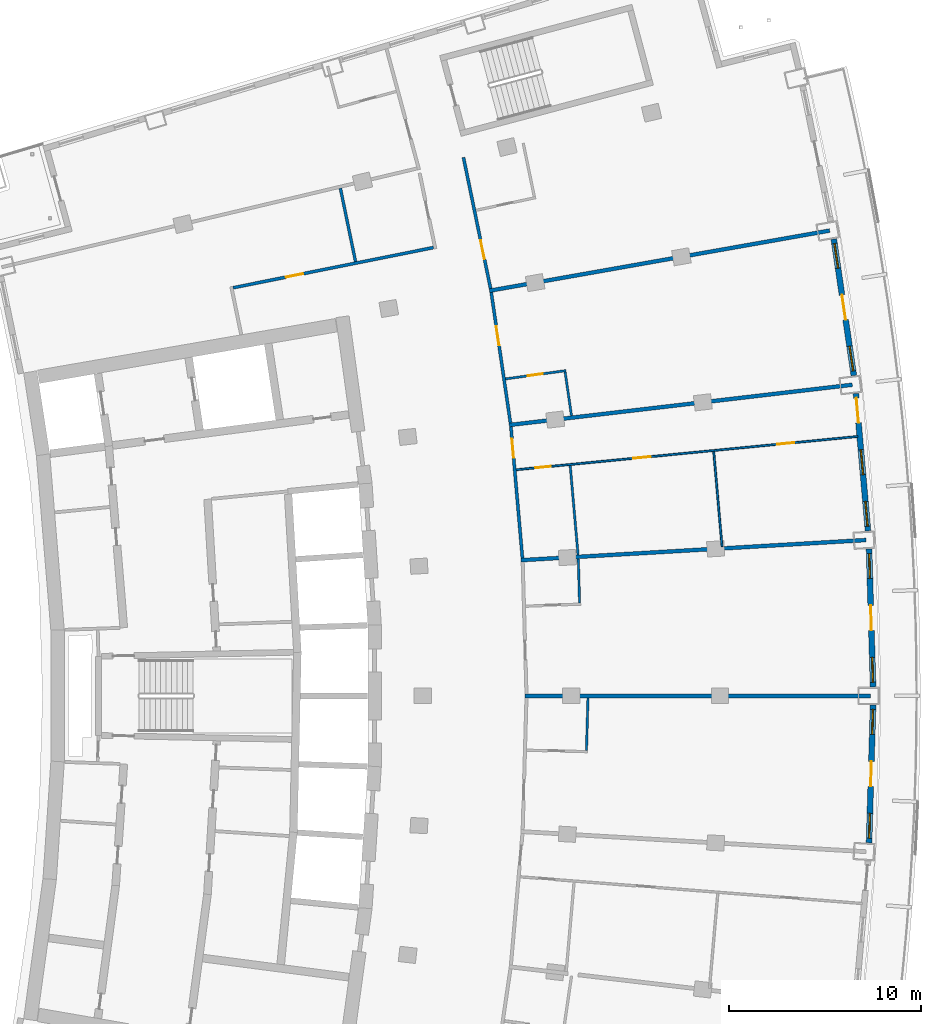
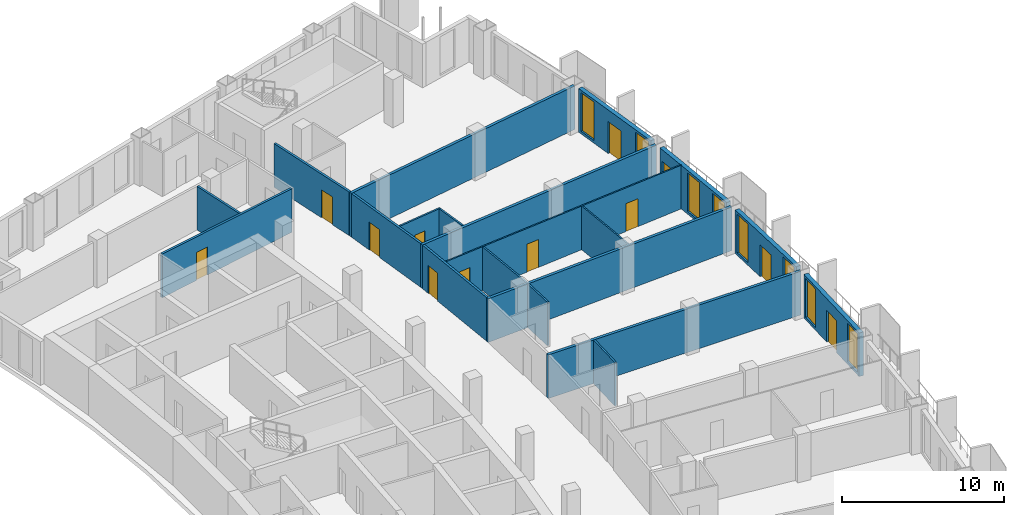
# One storey, part 14 of 19: 20 walls, 12 doors, 8 windows, 20 openings.
"""IFC4 building model written with IfcOpenShell, lengths in metres."""

from ifc_helpers import new_model, si_unit, direction, frame, frame_2d, origin, place, context, subcontext, project, spatial, rectangle, extrude, material, layer, layer_set, type_object, element, fill, save


model = new_model("IFC4")

# Units and contexts
model_context = context("Model", 3, precision=1e-05, world=origin(), true_north=direction((0.0, 1.0)))
body_context = subcontext(model_context, "Body", "Model", "MODEL_VIEW")
ifc_project = project(units=[si_unit("LENGTHUNIT", "METRE"), si_unit("AREAUNIT", "SQUARE_METRE"), si_unit("VOLUMEUNIT", "CUBIC_METRE"), si_unit("PLANEANGLEUNIT", "RADIAN"), si_unit("MASSUNIT", "GRAM", prefix="KILO")], contexts=[model_context])

# Site, building, storey
site_placement = place(None, origin())
site = spatial("IfcSite", under=ifc_project, at=site_placement, CompositionType="ELEMENT")
building_placement = place(site_placement, origin())
building = spatial("IfcBuilding", under=site, at=building_placement, Name="Alderwake Tower", CompositionType="ELEMENT")
storey_placement = place(building_placement, frame((0.0, 0.0, 174.800048828125)))
storey = spatial("IfcBuildingStorey", under=building, at=storey_placement, Name="L43", CompositionType="ELEMENT", Elevation=174.800048828125)

# Wall, opening, door
ifc_material_1 = material(Name="Gypsum board on metal studs, rated")
ifc_layer_1 = layer(ifc_material_1, 0.159912109375)
ifc_layer_set_1 = layer_set([ifc_layer_1], Name="Corridor wall 160")
wall_type_1 = type_object("IfcWallType", Name="Corridor wall 160", PredefinedType="PARTITIONING", material=ifc_layer_set_1)
wall_1_placement = place(storey_placement, frame((25.926513671875, 82.24267578125, 0.0), z_axis=(0.0, 0.0, 1.0), x_axis=(0.98046310274, 0.196703086316, 0.0)))
wall_1 = element("IfcWall", 1, at=wall_1_placement, inside=storey, type_object=wall_type_1, Name="WL/L43/W24", PredefinedType="PARTITIONING", context=body_context, shape_type="SweptSolid", body=[
    extrude(rectangle(XDim=10.637939453125, YDim=0.159912109375, at=frame_2d((5.31884765625, 0.0))), origin(), (0.0, 0.0, 1.0), 3.280029296875),
])
opening_1_placement = place(wall_1_placement, frame((2.80908203125, 0.0, 0.0)))
opening_1 = element("IfcOpeningElement", 2, at=opening_1_placement, cuts=wall_1, Name="Opening R12-SBN1", PredefinedType="OPENING", context=body_context, shape_type="SweptSolid", body=[
    extrude(rectangle(XDim=0.89990234375, YDim=2.10009765625, at=frame_2d((0.449951171875, 1.050048828125))), frame((0.0, 0.08984375, 0.0), z_axis=(0.0, -1.0, 0.0), x_axis=(1.0, 0.0, 0.0)), (0.0, 0.0, 1.0), 0.179931640625),
])
ifc_material_2 = material(Name="Painted timber leaf", Category="wood")
door_type_1 = type_object("IfcDoorType", Name="Room door 900", OperationType="SINGLE_SWING_LEFT", PredefinedType="DOOR", material=ifc_material_2)
door_1_placement = place(opening_1_placement, origin())
door_1 = element("IfcDoor", 3, at=door_1_placement, inside=storey, type_object=door_type_1, Name="DR/L43/SBN1", OperationType="SINGLE_SWING_LEFT", OverallHeight=2.10009765625, OverallWidth=0.89990234375, PredefinedType="DOOR", context=body_context, shape_type="SweptSolid", body=[
    extrude(rectangle(XDim=0.89990234375, YDim=2.10009765625, at=frame_2d((0.449951171875, 1.050048828125))), frame((0.0, 0.02490234375, 0.0), z_axis=(0.0, -1.0, 0.0), x_axis=(1.0, 0.0, 0.0)), (0.0, 0.0, 1.0), 0.050048828125),
])
fill(opening_1, door_1)

wall_2_placement = place(storey_placement, frame((37.9169921875, 89.02490234375, 0.0), z_axis=(0.0, 0.0, 1.0), x_axis=(0.202416809878, -0.97929946139, 0.0)))
wall_2 = element("IfcWall", 4, at=wall_2_placement, inside=storey, type_object=wall_type_1, Name="WL/L43/W27", PredefinedType="PARTITIONING", context=body_context, shape_type="SweptSolid", body=[
    extrude(rectangle(XDim=6.97021484375, YDim=0.159912109375, at=frame_2d((3.485107421875, 0.0))), origin(), (0.0, 0.0, 1.0), 3.280029296875),
])
opening_2_placement = place(wall_2_placement, frame((4.3994140625, 0.0, 0.0)))
opening_2 = element("IfcOpeningElement", 5, at=opening_2_placement, cuts=wall_2, Name="Opening R12-U09.1", PredefinedType="OPENING", context=body_context, shape_type="SweptSolid", body=[
    extrude(rectangle(XDim=1.0, YDim=2.10009765625, at=frame_2d((0.5, 1.050048828125))), frame((0.0, 0.08984375, 0.0), z_axis=(0.0, -1.0, 0.0), x_axis=(1.0, 0.0, 0.0)), (0.0, 0.0, 1.0), 0.179931640625),
])
ifc_material_3 = material(Name="Solid timber leaf in steel frame", Category="steel")
door_type_2 = type_object("IfcDoorType", Name="Flat entrance door 1000 fire-rated", OperationType="SINGLE_SWING_LEFT", PredefinedType="DOOR", material=ifc_material_3)
door_2_placement = place(opening_2_placement, origin())
door_2 = element("IfcDoor", 6, at=door_2_placement, inside=storey, type_object=door_type_2, Name="DR/L43/U09.1", OperationType="SINGLE_SWING_LEFT", OverallHeight=2.10009765625, OverallWidth=1.0, PredefinedType="DOOR", context=body_context, shape_type="SweptSolid", body=[
    extrude(rectangle(XDim=1.0, YDim=2.10009765625, at=frame_2d((0.5, 1.050048828125))), frame((0.0, 0.02490234375, 0.0), z_axis=(0.0, -1.0, 0.0), x_axis=(1.0, 0.0, 0.0)), (0.0, 0.0, 1.0), 0.050048828125),
])
fill(opening_2, door_2)

wall_3_placement = place(storey_placement, frame((39.362548828125, 82.001953125, 0.0), z_axis=(0.0, 0.0, 1.0), x_axis=(0.145565626222, -0.98934859805, 0.0)))
wall_3 = element("IfcWall", 7, at=wall_3_placement, inside=storey, type_object=wall_type_1, Name="WL/L43/W29", PredefinedType="PARTITIONING", context=body_context, shape_type="SweptSolid", body=[
    extrude(rectangle(XDim=6.8681640625, YDim=0.159912109375, at=frame_2d((3.43408203125, 0.0))), origin(), (0.0, 0.0, 1.0), 3.280029296875),
])
opening_3_placement = place(wall_3_placement, frame((1.782470703125, 0.0, 0.0)))
opening_3 = element("IfcOpeningElement", 8, at=opening_3_placement, cuts=wall_3, Name="Opening R12-U08.1", PredefinedType="OPENING", context=body_context, shape_type="SweptSolid", body=[
    extrude(rectangle(XDim=1.0, YDim=2.10009765625, at=frame_2d((0.5, 1.050048828125))), frame((0.0, 0.08984375, 0.0), z_axis=(0.0, -1.0, 0.0), x_axis=(1.0, 0.0, 0.0)), (0.0, 0.0, 1.0), 0.179931640625),
])
door_3_placement = place(opening_3_placement, origin())
door_3 = element("IfcDoor", 9, at=door_3_placement, inside=storey, type_object=door_type_2, Name="DR/L43/U08.1", OperationType="SINGLE_SWING_LEFT", OverallHeight=2.10009765625, OverallWidth=1.0, PredefinedType="DOOR", context=body_context, shape_type="SweptSolid", body=[
    extrude(rectangle(XDim=1.0, YDim=2.10009765625, at=frame_2d((0.5, 1.050048828125))), frame((0.0, 0.02490234375, 0.0), z_axis=(0.0, -1.0, 0.0), x_axis=(1.0, 0.0, 0.0)), (0.0, 0.0, 1.0), 0.050048828125),
])
fill(opening_3, door_3)

wall_4_placement = place(storey_placement, frame((40.3857421875, 75.00830078125, 0.0), z_axis=(0.0, 0.0, 1.0), x_axis=(0.087448731147, -0.996169021512, 0.0)))
wall_4 = element("IfcWall", 10, at=wall_4_placement, inside=storey, type_object=wall_type_1, Name="WL/L43/W31", PredefinedType="PARTITIONING", context=body_context, shape_type="SweptSolid", body=[
    extrude(rectangle(XDim=6.867919921875, YDim=0.159912109375, at=frame_2d((3.43408203125, 0.0))), origin(), (0.0, 0.0, 1.0), 3.280029296875),
])
opening_4_placement = place(wall_4_placement, frame((0.628173828125, 0.0, 0.0)))
opening_4 = element("IfcOpeningElement", 11, at=opening_4_placement, cuts=wall_4, Name="Opening R12-U07.2", PredefinedType="OPENING", context=body_context, shape_type="SweptSolid", body=[
    extrude(rectangle(XDim=1.0, YDim=2.10009765625, at=frame_2d((0.5, 1.050048828125))), frame((0.0, 0.08984375, 0.0), z_axis=(0.0, -1.0, 0.0), x_axis=(1.0, 0.0, 0.0)), (0.0, 0.0, 1.0), 0.179931640625),
])
door_4_placement = place(opening_4_placement, origin())
door_4 = element("IfcDoor", 12, at=door_4_placement, inside=storey, type_object=door_type_2, Name="DR/L43/U07.2", OperationType="SINGLE_SWING_LEFT", OverallHeight=2.10009765625, OverallWidth=1.0, PredefinedType="DOOR", context=body_context, shape_type="SweptSolid", body=[
    extrude(rectangle(XDim=1.0, YDim=2.10009765625, at=frame_2d((0.5, 1.050048828125))), frame((0.0, 0.02490234375, 0.0), z_axis=(0.0, -1.0, 0.0), x_axis=(1.0, 0.0, 0.0)), (0.0, 0.0, 1.0), 0.050048828125),
])
fill(opening_4, door_4)

# Wall, openings, door, windows
ifc_material_4 = material(Name="Precast concrete C50/60 spandrel panel", Category="concrete")
ifc_layer_2 = layer(ifc_material_4, 0.300048828125)
ifc_layer_set_2 = layer_set([ifc_layer_2], Name="External wall EW1 Precast concrete C50/60 spandrel")
wall_type_2 = type_object("IfcWallType", Name="External wall EW1 Precast concrete C50/60 spandrel", PredefinedType="SOLIDWALL", material=ifc_layer_set_2)
wall_5_placement = place(storey_placement, frame((59.027099609375, 53.354736328125, 0.0), z_axis=(0.0, 0.0, 1.0), x_axis=(0.029125088946, 0.999575774613, 0.0)))
wall_5 = element("IfcWall", 13, at=wall_5_placement, inside=storey, type_object=wall_type_2, Name="External wall 15", PredefinedType="SOLIDWALL", context=body_context, shape_type="SweptSolid", body=[
    extrude(rectangle(XDim=7.17529296875, YDim=0.300048828125, at=frame_2d((3.587646484375, 0.0))), origin(), (0.0, 0.0, 1.0), 3.280029296875),
])
opening_5_placement = place(wall_5_placement, frame((0.2353515625, 0.0, 0.199951171875)))
opening_5 = element("IfcOpeningElement", 14, at=opening_5_placement, cuts=wall_5, Name="Opening W1", PredefinedType="OPENING", context=body_context, shape_type="SweptSolid", body=[
    extrude(rectangle(XDim=1.300048828125, YDim=2.89990234375, at=frame_2d((0.64990234375, 1.449951171875))), frame((0.0, 0.159912109375, 0.0), z_axis=(0.0, -1.0, 0.0), x_axis=(1.0, 0.0, 0.0)), (0.0, 0.0, 1.0), 0.320068359375),
])
opening_6_placement = place(wall_5_placement, frame((2.937744140625, 0.0, 0.0)))
opening_6 = element("IfcOpeningElement", 15, at=opening_6_placement, cuts=wall_5, Name="Opening D04", PredefinedType="OPENING", context=body_context, shape_type="SweptSolid", body=[
    extrude(rectangle(XDim=1.300048828125, YDim=2.39990234375, at=frame_2d((0.64990234375, 1.199951171875))), frame((0.0, 0.159912109375, 0.0), z_axis=(0.0, -1.0, 0.0), x_axis=(1.0, 0.0, 0.0)), (0.0, 0.0, 1.0), 0.320068359375),
])
opening_7_placement = place(wall_5_placement, frame((5.64013671875, 0.0, 0.199951171875)))
opening_7 = element("IfcOpeningElement", 16, at=opening_7_placement, cuts=wall_5, Name="Opening W1", PredefinedType="OPENING", context=body_context, shape_type="SweptSolid", body=[
    extrude(rectangle(XDim=1.300048828125, YDim=2.89990234375, at=frame_2d((0.64990234375, 1.449951171875))), frame((0.0, 0.159912109375, 0.0), z_axis=(0.0, -1.0, 0.0), x_axis=(1.0, 0.0, 0.0)), (0.0, 0.0, 1.0), 0.320068359375),
])
ifc_material_5 = material(Name="Bronze tinted glass in aluminium frame", Category="aluminium")
door_type_3 = type_object("IfcDoorType", Name="Balcony door BD sliding", OperationType="SLIDING_TO_LEFT", PredefinedType="DOOR", material=ifc_material_5)
door_5_placement = place(opening_6_placement, origin())
door_5 = element("IfcDoor", 17, at=door_5_placement, inside=storey, type_object=door_type_3, Name="Door D04", OperationType="SLIDING_TO_LEFT", OverallHeight=2.39990234375, OverallWidth=1.300048828125, PredefinedType="DOOR", context=body_context, shape_type="SweptSolid", body=[
    extrude(rectangle(XDim=1.300048828125, YDim=2.39990234375, at=frame_2d((0.64990234375, 1.199951171875))), frame((0.0, 0.02490234375, 0.0), z_axis=(0.0, -1.0, 0.0), x_axis=(1.0, 0.0, 0.0)), (0.0, 0.0, 1.0), 0.050048828125),
])
fill(opening_6, door_5)
ifc_material_6 = material(Name="Bronze tinted glass in aluminium frame", Category="aluminium")
window_type = type_object("IfcWindowType", Name="Window W1 tall fixed and vent", PartitioningType="DOUBLE_PANEL_VERTICAL", PredefinedType="WINDOW", material=ifc_material_6)
window_1_placement = place(opening_5_placement, origin())
window_1 = element("IfcWindow", 18, at=window_1_placement, inside=storey, type_object=window_type, Name="Window W1 tall fixed and vent", OverallHeight=2.89990234375, OverallWidth=1.300048828125, PartitioningType="DOUBLE_PANEL_VERTICAL", PredefinedType="WINDOW", context=body_context, shape_type="SweptSolid", body=[
    extrude(rectangle(XDim=1.300048828125, YDim=2.89990234375, at=frame_2d((0.64990234375, 1.449951171875))), frame((0.0, 0.030029296875, 0.0), z_axis=(0.0, -1.0, 0.0), x_axis=(1.0, 0.0, 0.0)), (0.0, 0.0, 1.0), 0.06005859375),
])
fill(opening_5, window_1)
window_2_placement = place(opening_7_placement, origin())
window_2 = element("IfcWindow", 19, at=window_2_placement, inside=storey, type_object=window_type, Name="Window W1 tall fixed and vent", OverallHeight=2.89990234375, OverallWidth=1.300048828125, PartitioningType="DOUBLE_PANEL_VERTICAL", PredefinedType="WINDOW", context=body_context, shape_type="SweptSolid", body=[
    extrude(rectangle(XDim=1.300048828125, YDim=2.89990234375, at=frame_2d((0.64990234375, 1.449951171875))), frame((0.0, 0.030029296875, 0.0), z_axis=(0.0, -1.0, 0.0), x_axis=(1.0, 0.0, 0.0)), (0.0, 0.0, 1.0), 0.06005859375),
])
fill(opening_7, window_2)

wall_6_placement = place(storey_placement, frame((59.236083984375, 61.472900390625, 0.0), z_axis=(0.0, 0.0, 1.0), x_axis=(-0.029125088946, 0.999575774613, 0.0)))
wall_6 = element("IfcWall", 20, at=wall_6_placement, inside=storey, type_object=wall_type_2, Name="External wall 16", PredefinedType="SOLIDWALL", context=body_context, shape_type="SweptSolid", body=[
    extrude(rectangle(XDim=7.17529296875, YDim=0.300048828125, at=frame_2d((3.587646484375, 0.0))), origin(), (0.0, 0.0, 1.0), 3.280029296875),
])
opening_8_placement = place(wall_6_placement, frame((0.2353515625, 0.0, 0.199951171875)))
opening_8 = element("IfcOpeningElement", 21, at=opening_8_placement, cuts=wall_6, Name="Opening W1", PredefinedType="OPENING", context=body_context, shape_type="SweptSolid", body=[
    extrude(rectangle(XDim=1.300048828125, YDim=2.89990234375, at=frame_2d((0.64990234375, 1.449951171875))), frame((0.0, 0.159912109375, 0.0), z_axis=(0.0, -1.0, 0.0), x_axis=(1.0, 0.0, 0.0)), (0.0, 0.0, 1.0), 0.320068359375),
])
opening_9_placement = place(wall_6_placement, frame((2.937744140625, 0.0, 0.0)))
opening_9 = element("IfcOpeningElement", 22, at=opening_9_placement, cuts=wall_6, Name="Opening D05", PredefinedType="OPENING", context=body_context, shape_type="SweptSolid", body=[
    extrude(rectangle(XDim=1.300048828125, YDim=2.39990234375, at=frame_2d((0.64990234375, 1.199951171875))), frame((0.0, 0.159912109375, 0.0), z_axis=(0.0, -1.0, 0.0), x_axis=(1.0, 0.0, 0.0)), (0.0, 0.0, 1.0), 0.320068359375),
])
opening_10_placement = place(wall_6_placement, frame((5.64013671875, 0.0, 0.199951171875)))
opening_10 = element("IfcOpeningElement", 23, at=opening_10_placement, cuts=wall_6, Name="Opening W1", PredefinedType="OPENING", context=body_context, shape_type="SweptSolid", body=[
    extrude(rectangle(XDim=1.300048828125, YDim=2.89990234375, at=frame_2d((0.64990234375, 1.449951171875))), frame((0.0, 0.159912109375, 0.0), z_axis=(0.0, -1.0, 0.0), x_axis=(1.0, 0.0, 0.0)), (0.0, 0.0, 1.0), 0.320068359375),
])
door_6_placement = place(opening_9_placement, origin())
door_6 = element("IfcDoor", 24, at=door_6_placement, inside=storey, type_object=door_type_3, Name="Door D05", OperationType="SLIDING_TO_LEFT", OverallHeight=2.39990234375, OverallWidth=1.300048828125, PredefinedType="DOOR", context=body_context, shape_type="SweptSolid", body=[
    extrude(rectangle(XDim=1.300048828125, YDim=2.39990234375, at=frame_2d((0.64990234375, 1.199951171875))), frame((0.0, 0.02490234375, 0.0), z_axis=(0.0, -1.0, 0.0), x_axis=(1.0, 0.0, 0.0)), (0.0, 0.0, 1.0), 0.050048828125),
])
fill(opening_9, door_6)
window_3_placement = place(opening_8_placement, origin())
window_3 = element("IfcWindow", 25, at=window_3_placement, inside=storey, type_object=window_type, Name="Window W1 tall fixed and vent", OverallHeight=2.89990234375, OverallWidth=1.300048828125, PartitioningType="DOUBLE_PANEL_VERTICAL", PredefinedType="WINDOW", context=body_context, shape_type="SweptSolid", body=[
    extrude(rectangle(XDim=1.300048828125, YDim=2.89990234375, at=frame_2d((0.64990234375, 1.449951171875))), frame((0.0, 0.030029296875, 0.0), z_axis=(0.0, -1.0, 0.0), x_axis=(1.0, 0.0, 0.0)), (0.0, 0.0, 1.0), 0.06005859375),
])
fill(opening_8, window_3)
window_4_placement = place(opening_10_placement, origin())
window_4 = element("IfcWindow", 26, at=window_4_placement, inside=storey, type_object=window_type, Name="Window W1 tall fixed and vent", OverallHeight=2.89990234375, OverallWidth=1.300048828125, PartitioningType="DOUBLE_PANEL_VERTICAL", PredefinedType="WINDOW", context=body_context, shape_type="SweptSolid", body=[
    extrude(rectangle(XDim=1.300048828125, YDim=2.89990234375, at=frame_2d((0.64990234375, 1.449951171875))), frame((0.0, 0.030029296875, 0.0), z_axis=(0.0, -1.0, 0.0), x_axis=(1.0, 0.0, 0.0)), (0.0, 0.0, 1.0), 0.06005859375),
])
fill(opening_10, window_4)

wall_7_placement = place(storey_placement, frame((58.9716796875, 69.589599609375, 0.0), z_axis=(0.0, 0.0, 1.0), x_axis=(-0.087372493124, 0.99617571113, 0.0)))
wall_7 = element("IfcWall", 27, at=wall_7_placement, inside=storey, type_object=wall_type_2, Name="External wall 17", PredefinedType="SOLIDWALL", context=body_context, shape_type="SweptSolid", body=[
    extrude(rectangle(XDim=7.175537109375, YDim=0.300048828125, at=frame_2d((3.587890625, 0.0))), origin(), (0.0, 0.0, 1.0), 3.280029296875),
])
opening_11_placement = place(wall_7_placement, frame((0.2353515625, 0.0, 0.199951171875)))
opening_11 = element("IfcOpeningElement", 28, at=opening_11_placement, cuts=wall_7, Name="Opening W1", PredefinedType="OPENING", context=body_context, shape_type="SweptSolid", body=[
    extrude(rectangle(XDim=1.300048828125, YDim=2.89990234375, at=frame_2d((0.64990234375, 1.449951171875))), frame((0.0, 0.159912109375, 0.0), z_axis=(0.0, -1.0, 0.0), x_axis=(1.0, 0.0, 0.0)), (0.0, 0.0, 1.0), 0.320068359375),
])
opening_12_placement = place(wall_7_placement, frame((2.937744140625, 0.0, 0.199951171875)))
opening_12 = element("IfcOpeningElement", 29, at=opening_12_placement, cuts=wall_7, Name="Opening W1", PredefinedType="OPENING", context=body_context, shape_type="SweptSolid", body=[
    extrude(rectangle(XDim=1.300048828125, YDim=2.89990234375, at=frame_2d((0.64990234375, 1.449951171875))), frame((0.0, 0.159912109375, 0.0), z_axis=(0.0, -1.0, 0.0), x_axis=(1.0, 0.0, 0.0)), (0.0, 0.0, 1.0), 0.320068359375),
])
opening_13_placement = place(wall_7_placement, frame((5.64013671875, 0.0, 0.0)))
opening_13 = element("IfcOpeningElement", 30, at=opening_13_placement, cuts=wall_7, Name="Opening D06", PredefinedType="OPENING", context=body_context, shape_type="SweptSolid", body=[
    extrude(rectangle(XDim=1.300048828125, YDim=2.39990234375, at=frame_2d((0.64990234375, 1.199951171875))), frame((0.0, 0.159912109375, 0.0), z_axis=(0.0, -1.0, 0.0), x_axis=(1.0, 0.0, 0.0)), (0.0, 0.0, 1.0), 0.320068359375),
])
door_7_placement = place(opening_13_placement, origin())
door_7 = element("IfcDoor", 31, at=door_7_placement, inside=storey, type_object=door_type_3, Name="Door D06", OperationType="SLIDING_TO_LEFT", OverallHeight=2.39990234375, OverallWidth=1.300048828125, PredefinedType="DOOR", context=body_context, shape_type="SweptSolid", body=[
    extrude(rectangle(XDim=1.300048828125, YDim=2.39990234375, at=frame_2d((0.64990234375, 1.199951171875))), frame((0.0, 0.02490234375, 0.0), z_axis=(0.0, -1.0, 0.0), x_axis=(1.0, 0.0, 0.0)), (0.0, 0.0, 1.0), 0.050048828125),
])
fill(opening_13, door_7)
window_5_placement = place(opening_11_placement, origin())
window_5 = element("IfcWindow", 32, at=window_5_placement, inside=storey, type_object=window_type, Name="Window W1 tall fixed and vent", OverallHeight=2.89990234375, OverallWidth=1.300048828125, PartitioningType="DOUBLE_PANEL_VERTICAL", PredefinedType="WINDOW", context=body_context, shape_type="SweptSolid", body=[
    extrude(rectangle(XDim=1.300048828125, YDim=2.89990234375, at=frame_2d((0.64990234375, 1.449951171875))), frame((0.0, 0.030029296875, 0.0), z_axis=(0.0, -1.0, 0.0), x_axis=(1.0, 0.0, 0.0)), (0.0, 0.0, 1.0), 0.06005859375),
])
fill(opening_11, window_5)
window_6_placement = place(opening_12_placement, origin())
window_6 = element("IfcWindow", 33, at=window_6_placement, inside=storey, type_object=window_type, Name="Window W1 tall fixed and vent", OverallHeight=2.89990234375, OverallWidth=1.300048828125, PartitioningType="DOUBLE_PANEL_VERTICAL", PredefinedType="WINDOW", context=body_context, shape_type="SweptSolid", body=[
    extrude(rectangle(XDim=1.300048828125, YDim=2.89990234375, at=frame_2d((0.64990234375, 1.449951171875))), frame((0.0, 0.030029296875, 0.0), z_axis=(0.0, -1.0, 0.0), x_axis=(1.0, 0.0, 0.0)), (0.0, 0.0, 1.0), 0.06005859375),
])
fill(opening_12, window_6)

wall_8_placement = place(storey_placement, frame((58.234619140625, 77.677001953125, 0.0), z_axis=(0.0, 0.0, 1.0), x_axis=(-0.145316694365, 0.989385192096, 0.0)))
wall_8 = element("IfcWall", 34, at=wall_8_placement, inside=storey, type_object=wall_type_2, Name="External wall 18", PredefinedType="SOLIDWALL", context=body_context, shape_type="SweptSolid", body=[
    extrude(rectangle(XDim=7.175537109375, YDim=0.300048828125, at=frame_2d((3.587890625, 0.0))), origin(), (0.0, 0.0, 1.0), 3.280029296875),
])
opening_14_placement = place(wall_8_placement, frame((0.2353515625, 0.0, 0.199951171875)))
opening_14 = element("IfcOpeningElement", 35, at=opening_14_placement, cuts=wall_8, Name="Opening W1", PredefinedType="OPENING", context=body_context, shape_type="SweptSolid", body=[
    extrude(rectangle(XDim=1.300048828125, YDim=2.89990234375, at=frame_2d((0.64990234375, 1.449951171875))), frame((0.0, 0.159912109375, 0.0), z_axis=(0.0, -1.0, 0.0), x_axis=(1.0, 0.0, 0.0)), (0.0, 0.0, 1.0), 0.320068359375),
])
opening_15_placement = place(wall_8_placement, frame((2.937744140625, 0.0, 0.0)))
opening_15 = element("IfcOpeningElement", 36, at=opening_15_placement, cuts=wall_8, Name="Opening D07", PredefinedType="OPENING", context=body_context, shape_type="SweptSolid", body=[
    extrude(rectangle(XDim=1.300048828125, YDim=2.39990234375, at=frame_2d((0.64990234375, 1.199951171875))), frame((0.0, 0.159912109375, 0.0), z_axis=(0.0, -1.0, 0.0), x_axis=(1.0, 0.0, 0.0)), (0.0, 0.0, 1.0), 0.320068359375),
])
opening_16_placement = place(wall_8_placement, frame((5.64013671875, 0.0, 0.199951171875)))
opening_16 = element("IfcOpeningElement", 37, at=opening_16_placement, cuts=wall_8, Name="Opening W1", PredefinedType="OPENING", context=body_context, shape_type="SweptSolid", body=[
    extrude(rectangle(XDim=1.300048828125, YDim=2.89990234375, at=frame_2d((0.64990234375, 1.449951171875))), frame((0.0, 0.159912109375, 0.0), z_axis=(0.0, -1.0, 0.0), x_axis=(1.0, 0.0, 0.0)), (0.0, 0.0, 1.0), 0.320068359375),
])
door_8_placement = place(opening_15_placement, origin())
door_8 = element("IfcDoor", 38, at=door_8_placement, inside=storey, type_object=door_type_3, Name="Door D07", OperationType="SLIDING_TO_LEFT", OverallHeight=2.39990234375, OverallWidth=1.300048828125, PredefinedType="DOOR", context=body_context, shape_type="SweptSolid", body=[
    extrude(rectangle(XDim=1.300048828125, YDim=2.39990234375, at=frame_2d((0.64990234375, 1.199951171875))), frame((0.0, 0.02490234375, 0.0), z_axis=(0.0, -1.0, 0.0), x_axis=(1.0, 0.0, 0.0)), (0.0, 0.0, 1.0), 0.050048828125),
])
fill(opening_15, door_8)
window_7_placement = place(opening_14_placement, origin())
window_7 = element("IfcWindow", 39, at=window_7_placement, inside=storey, type_object=window_type, Name="Window W1 tall fixed and vent", OverallHeight=2.89990234375, OverallWidth=1.300048828125, PartitioningType="DOUBLE_PANEL_VERTICAL", PredefinedType="WINDOW", context=body_context, shape_type="SweptSolid", body=[
    extrude(rectangle(XDim=1.300048828125, YDim=2.89990234375, at=frame_2d((0.64990234375, 1.449951171875))), frame((0.0, 0.030029296875, 0.0), z_axis=(0.0, -1.0, 0.0), x_axis=(1.0, 0.0, 0.0)), (0.0, 0.0, 1.0), 0.06005859375),
])
fill(opening_14, window_7)
window_8_placement = place(opening_16_placement, origin())
window_8 = element("IfcWindow", 40, at=window_8_placement, inside=storey, type_object=window_type, Name="Window W1 tall fixed and vent", OverallHeight=2.89990234375, OverallWidth=1.300048828125, PartitioningType="DOUBLE_PANEL_VERTICAL", PredefinedType="WINDOW", context=body_context, shape_type="SweptSolid", body=[
    extrude(rectangle(XDim=1.300048828125, YDim=2.89990234375, at=frame_2d((0.64990234375, 1.449951171875))), frame((0.0, 0.030029296875, 0.0), z_axis=(0.0, -1.0, 0.0), x_axis=(1.0, 0.0, 0.0)), (0.0, 0.0, 1.0), 0.06005859375),
])
fill(opening_16, window_8)

# Walls
ifc_material_7 = material(Name="Dense block masonry wall", Category="masonry")
ifc_layer_3 = layer(ifc_material_7, 0.199951171875)
ifc_layer_set_3 = layer_set([ifc_layer_3], Name="Party wall 200")
wall_type_3 = type_object("IfcWallType", Name="Party wall 200", PredefinedType="SOLIDWALL", material=ifc_layer_set_3)
wall_9_placement = place(storey_placement, frame((56.97607421875, 85.218017578125, 0.0), z_axis=(0.0, 0.0, 1.0), x_axis=(-0.984725138861, -0.174116055824, 0.0)))
element("IfcWall", 41, at=wall_9_placement, inside=storey, type_object=wall_type_3, Name="WL/L43/W03", PredefinedType="SOLIDWALL", context=body_context, shape_type="SweptSolid", body=[
    extrude(rectangle(XDim=17.9814453125, YDim=0.199951171875, at=frame_2d((8.99072265625, 0.0))), origin(), (0.0, 0.0, 1.0), 3.280029296875),
])
wall_10_placement = place(storey_placement, frame((58.155029296875, 77.193115234375, 0.0), z_axis=(0.0, 0.0, 1.0), x_axis=(-0.993191787965, -0.116490653354, 0.0)))
element("IfcWall", 42, at=wall_10_placement, inside=storey, type_object=wall_type_3, Name="WL/L43/W05", PredefinedType="SOLIDWALL", context=body_context, shape_type="SweptSolid", body=[
    extrude(rectangle(XDim=17.979736328125, YDim=0.199951171875, at=frame_2d((8.98974609375, 0.0))), origin(), (0.0, 0.0, 1.0), 3.280029296875),
])
wall_11_placement = place(storey_placement, frame((58.863037109375, 69.111083984375, 0.0), z_axis=(0.0, 0.0, 1.0), x_axis=(-0.998296916023, -0.058337530453, 0.0)))
element("IfcWall", 43, at=wall_11_placement, inside=storey, type_object=wall_type_3, Name="WL/L43/W07", PredefinedType="SOLIDWALL", context=body_context, shape_type="SweptSolid", body=[
    extrude(rectangle(XDim=17.978515625, YDim=0.199951171875, at=frame_2d((8.9892578125, 0.0))), origin(), (0.0, 0.0, 1.0), 3.280029296875),
])
wall_12_placement = place(storey_placement, frame((59.10009765625, 60.9990234375, 0.0), z_axis=(0.0, 0.0, 1.0), x_axis=(-1.0, 0.0, 0.0)))
element("IfcWall", 44, at=wall_12_placement, inside=storey, type_object=wall_type_3, Name="WL/L43/W08", PredefinedType="SOLIDWALL", context=body_context, shape_type="SweptSolid", body=[
    extrude(rectangle(XDim=17.981201171875, YDim=0.199951171875, at=frame_2d((8.99072265625, 0.0))), origin(), (0.0, 0.0, 1.0), 3.280029296875),
])
ifc_material_8 = material(Name="Gypsum shaft wall system, rated")
ifc_layer_4 = layer(ifc_material_8, 0.14990234375)
ifc_layer_set_4 = layer_set([ifc_layer_4], Name="Riser and shaft wall 150")
wall_type_4 = type_object("IfcWallType", Name="Riser and shaft wall 150", PredefinedType="PARTITIONING", material=ifc_layer_set_4)
wall_13_placement = place(storey_placement, frame((32.2998046875, 83.601318359375, 0.0), z_axis=(0.0, 0.0, 1.0), x_axis=(-0.202493797034, 0.979283545334, 0.0)))
element("IfcWall", 45, at=wall_13_placement, inside=storey, type_object=wall_type_4, Name="WL/L43/W10", PredefinedType="PARTITIONING", context=body_context, shape_type="SweptSolid", body=[
    extrude(rectangle(XDim=3.899169921875, YDim=0.14990234375, at=frame_2d((1.94970703125, 0.0))), origin(), (0.0, 0.0, 1.0), 3.280029296875),
])

# Wall, openings, doors
ifc_material_9 = material(Name="Gypsum board on metal studs")
ifc_layer_5 = layer(ifc_material_9, 0.10009765625)
ifc_layer_set_5 = layer_set([ifc_layer_5], Name="Unit partition 100")
wall_type_5 = type_object("IfcWallType", Name="Unit partition 100", PredefinedType="PARTITIONING", material=ifc_layer_set_5)
wall_14_placement = place(storey_placement, frame((58.43994140625, 74.501953125, 0.0), z_axis=(0.0, 0.0, 1.0), x_axis=(-0.995287543156, -0.096967553536, 0.0)))
wall_14 = element("IfcWall", 46, at=wall_14_placement, inside=storey, type_object=wall_type_5, Name="WL/L43/W52", PredefinedType="PARTITIONING", context=body_context, shape_type="SweptSolid", body=[
    extrude(rectangle(XDim=17.863525390625, YDim=0.10009765625, at=frame_2d((8.931640625, 0.0))), origin(), (0.0, 0.0, 1.0), 3.280029296875),
])
opening_17_placement = place(wall_14_placement, frame((10.84130859375, 0.0, 0.0)))
opening_17 = element("IfcOpeningElement", 47, at=opening_17_placement, cuts=wall_14, Name="Opening R12-U07.1", PredefinedType="OPENING", context=body_context, shape_type="SweptSolid", body=[
    extrude(rectangle(XDim=0.89990234375, YDim=2.10009765625, at=frame_2d((0.449951171875, 1.050048828125))), frame((0.0, 0.06005859375, 0.0), z_axis=(0.0, -1.0, 0.0), x_axis=(1.0, 0.0, 0.0)), (0.0, 0.0, 1.0), 0.1201171875),
])
opening_18_placement = place(wall_14_placement, frame((16.0537109375, 0.0, 0.0)))
opening_18 = element("IfcOpeningElement", 48, at=opening_18_placement, cuts=wall_14, Name="Opening R12-U07.3", PredefinedType="OPENING", context=body_context, shape_type="SweptSolid", body=[
    extrude(rectangle(XDim=0.800048828125, YDim=2.10009765625, at=frame_2d((0.39990234375, 1.050048828125))), frame((0.0, 0.06005859375, 0.0), z_axis=(0.0, -1.0, 0.0), x_axis=(1.0, 0.0, 0.0)), (0.0, 0.0, 1.0), 0.1201171875),
])
opening_19_placement = place(wall_14_placement, frame((3.319580078125, 0.0, 0.0)))
opening_19 = element("IfcOpeningElement", 49, at=opening_19_placement, cuts=wall_14, Name="Opening R12-U07.4", PredefinedType="OPENING", context=body_context, shape_type="SweptSolid", body=[
    extrude(rectangle(XDim=0.89990234375, YDim=2.10009765625, at=frame_2d((0.449951171875, 1.050048828125))), frame((0.0, 0.06005859375, 0.0), z_axis=(0.0, -1.0, 0.0), x_axis=(1.0, 0.0, 0.0)), (0.0, 0.0, 1.0), 0.1201171875),
])
ifc_material_10 = material(Name="Painted timber leaf", Category="wood")
door_type_4 = type_object("IfcDoorType", Name="Bathroom door 800", OperationType="SINGLE_SWING_LEFT", PredefinedType="DOOR", material=ifc_material_10)
door_9_placement = place(opening_18_placement, origin())
door_9 = element("IfcDoor", 50, at=door_9_placement, inside=storey, type_object=door_type_4, Name="DR/L43/U07.3", OperationType="SINGLE_SWING_LEFT", OverallHeight=2.10009765625, OverallWidth=0.800048828125, PredefinedType="DOOR", context=body_context, shape_type="SweptSolid", body=[
    extrude(rectangle(XDim=0.800048828125, YDim=2.10009765625, at=frame_2d((0.39990234375, 1.050048828125))), frame((0.0, 0.02490234375, 0.0), z_axis=(0.0, -1.0, 0.0), x_axis=(1.0, 0.0, 0.0)), (0.0, 0.0, 1.0), 0.050048828125),
])
fill(opening_18, door_9)
door_10_placement = place(opening_17_placement, origin())
door_10 = element("IfcDoor", 51, at=door_10_placement, inside=storey, type_object=door_type_1, Name="DR/L43/U07.1", OperationType="SINGLE_SWING_LEFT", OverallHeight=2.10009765625, OverallWidth=0.89990234375, PredefinedType="DOOR", context=body_context, shape_type="SweptSolid", body=[
    extrude(rectangle(XDim=0.89990234375, YDim=2.10009765625, at=frame_2d((0.449951171875, 1.050048828125))), frame((0.0, 0.02490234375, 0.0), z_axis=(0.0, -1.0, 0.0), x_axis=(1.0, 0.0, 0.0)), (0.0, 0.0, 1.0), 0.050048828125),
])
fill(opening_17, door_10)
door_11_placement = place(opening_19_placement, origin())
door_11 = element("IfcDoor", 52, at=door_11_placement, inside=storey, type_object=door_type_1, Name="DR/L43/U07.4", OperationType="SINGLE_SWING_LEFT", OverallHeight=2.10009765625, OverallWidth=0.89990234375, PredefinedType="DOOR", context=body_context, shape_type="SweptSolid", body=[
    extrude(rectangle(XDim=0.89990234375, YDim=2.10009765625, at=frame_2d((0.449951171875, 1.050048828125))), frame((0.0, 0.02490234375, 0.0), z_axis=(0.0, -1.0, 0.0), x_axis=(1.0, 0.0, 0.0)), (0.0, 0.0, 1.0), 0.050048828125),
])
fill(opening_19, door_11)

# Wall
wall_15_placement = place(storey_placement, frame((51.375244140625, 68.772705078125, 0.0), z_axis=(0.0, 0.0, 1.0), x_axis=(-0.087352937881, 0.996177426086, 0.0)))
element("IfcWall", 53, at=wall_15_placement, inside=storey, type_object=wall_type_5, Name="WL/L43/W55", PredefinedType="PARTITIONING", context=body_context, shape_type="SweptSolid", body=[
    extrude(rectangle(XDim=4.966552734375, YDim=0.10009765625, at=frame_2d((2.4833984375, 0.0))), origin(), (0.0, 0.0, 1.0), 3.280029296875),
])

# Wall, opening, door
ifc_material_11 = material(Name="Moisture resistant gypsum board on metal studs")
ifc_layer_6 = layer(ifc_material_11, 0.1201171875)
ifc_layer_set_6 = layer_set([ifc_layer_6], Name="Wet room partition 120")
wall_type_6 = type_object("IfcWallType", Name="Wet room partition 120", PredefinedType="PARTITIONING", material=ifc_layer_set_6)
wall_16_placement = place(storey_placement, frame((43.25634765625, 77.93017578125, 0.0), z_axis=(0.0, 0.0, 1.0), x_axis=(-0.990717255946, -0.135938658114, 0.0)))
wall_16 = element("IfcWall", 54, at=wall_16_placement, inside=storey, type_object=wall_type_6, Name="WL/L43/W46", PredefinedType="PARTITIONING", context=body_context, shape_type="SweptSolid", body=[
    extrude(rectangle(XDim=3.1806640625, YDim=0.1201171875, at=frame_2d((1.59033203125, 0.0))), origin(), (0.0, 0.0, 1.0), 3.280029296875),
])
opening_20_placement = place(wall_16_placement, frame((1.220947265625, 0.0, 0.0)))
opening_20 = element("IfcOpeningElement", 55, at=opening_20_placement, cuts=wall_16, Name="Opening R12-U08.2", PredefinedType="OPENING", context=body_context, shape_type="SweptSolid", body=[
    extrude(rectangle(XDim=0.800048828125, YDim=2.10009765625, at=frame_2d((0.39990234375, 1.050048828125))), frame((0.0, 0.070068359375, 0.0), z_axis=(0.0, -1.0, 0.0), x_axis=(1.0, 0.0, 0.0)), (0.0, 0.0, 1.0), 0.14013671875),
])
door_12_placement = place(opening_20_placement, origin())
door_12 = element("IfcDoor", 56, at=door_12_placement, inside=storey, type_object=door_type_4, Name="DR/L43/U08.2", OperationType="SINGLE_SWING_LEFT", OverallHeight=2.10009765625, OverallWidth=0.800048828125, PredefinedType="DOOR", context=body_context, shape_type="SweptSolid", body=[
    extrude(rectangle(XDim=0.800048828125, YDim=2.10009765625, at=frame_2d((0.39990234375, 1.050048828125))), frame((0.0, 0.02490234375, 0.0), z_axis=(0.0, -1.0, 0.0), x_axis=(1.0, 0.0, 0.0)), (0.0, 0.0, 1.0), 0.050048828125),
])
fill(opening_20, door_12)

# Walls
wall_17_placement = place(storey_placement, frame((43.53955078125, 75.5791015625, 0.0), z_axis=(0.0, 0.0, 1.0), x_axis=(-0.144619815424, 0.989487296021, 0.0)))
element("IfcWall", 57, at=wall_17_placement, inside=storey, type_object=wall_type_6, Name="WL/L43/W48", PredefinedType="PARTITIONING", context=body_context, shape_type="SweptSolid", body=[
    extrude(rectangle(XDim=2.3076171875, YDim=0.1201171875, at=frame_2d((1.15380859375, 0.0))), origin(), (0.0, 0.0, 1.0), 3.280029296875),
])
wall_18_placement = place(storey_placement, frame((43.881103515625, 68.334716796875, 0.0), z_axis=(0.0, 0.0, 1.0), x_axis=(-0.087639255618, 0.996152277955, 0.0)))
element("IfcWall", 58, at=wall_18_placement, inside=storey, type_object=wall_type_6, Name="WL/L43/W49", PredefinedType="PARTITIONING", context=body_context, shape_type="SweptSolid", body=[
    extrude(rectangle(XDim=4.674560546875, YDim=0.1201171875, at=frame_2d((2.33740234375, 0.0))), origin(), (0.0, 0.0, 1.0), 3.280029296875),
])
wall_19_placement = place(storey_placement, frame((43.960205078125, 65.8349609375, 0.0), z_axis=(0.0, 0.0, 1.0), x_axis=(-0.029283689085, 0.999571140817, 0.0)))
element("IfcWall", 59, at=wall_19_placement, inside=storey, type_object=wall_type_6, Name="WL/L43/W50", PredefinedType="PARTITIONING", context=body_context, shape_type="SweptSolid", body=[
    extrude(rectangle(XDim=2.301025390625, YDim=0.1201171875, at=frame_2d((1.150390625, 0.0))), origin(), (0.0, 0.0, 1.0), 3.280029296875),
])
wall_20_placement = place(storey_placement, frame((44.317626953125, 58.157958984375, 0.0), z_axis=(0.0, 0.0, 1.0), x_axis=(0.029024908923, 0.999578688579, 0.0)))
element("IfcWall", 60, at=wall_20_placement, inside=storey, type_object=wall_type_6, Name="WL/L43/W51", PredefinedType="PARTITIONING", context=body_context, shape_type="SweptSolid", body=[
    extrude(rectangle(XDim=2.7421875, YDim=0.1201171875, at=frame_2d((1.37109375, 0.0))), origin(), (0.0, 0.0, 1.0), 3.280029296875),
])

save(model, "model.ifc")
